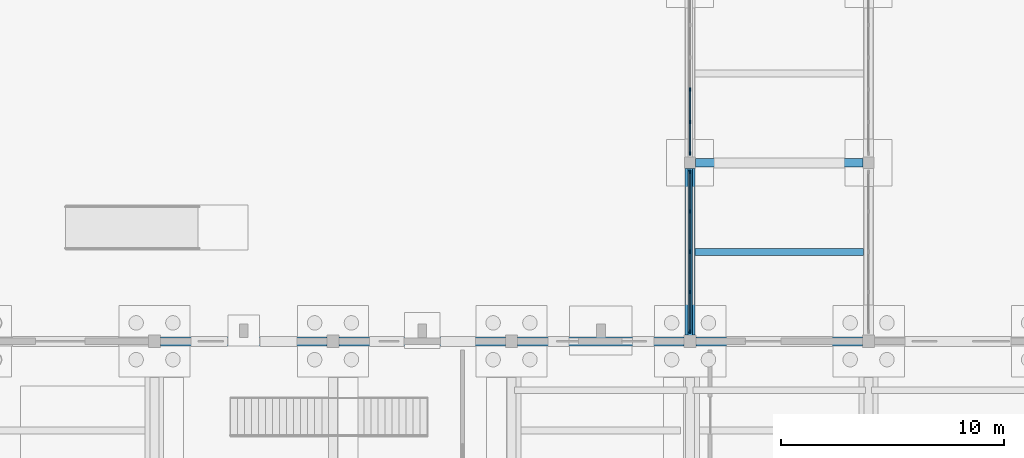
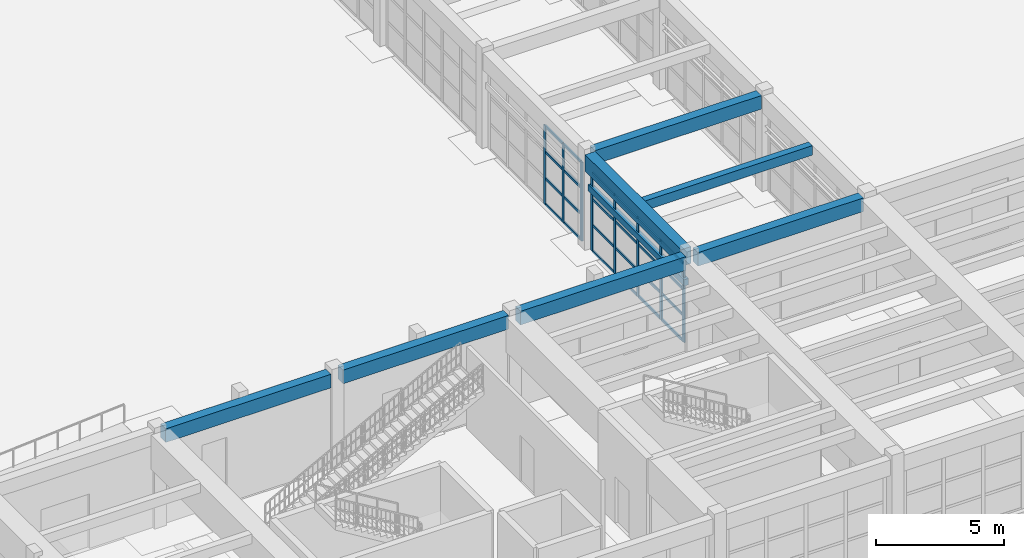
# One storey, part 21 of 68: 32 members, 8 beams, 2 elements without a shape of their own.
"""IFC4 building model written with IfcOpenShell, lengths in metres."""

from ifc_helpers import new_model, si_unit, direction, frame, origin, origin_2d, place, context, subcontext, project, spatial, rectangle, extrude, material, material_profile, profile_set, type_object, element, aggregate, save


model = new_model("IFC4")

# Units and contexts
model_context = context("Model", 3, precision=1e-05, world=origin(), true_north=direction((0.0, 1.0)))
body_context = subcontext(model_context, "Body", "Model", "MODEL_VIEW")
ifc_project = project(units=[si_unit("LENGTHUNIT", "METRE"), si_unit("AREAUNIT", "SQUARE_METRE"), si_unit("VOLUMEUNIT", "CUBIC_METRE"), si_unit("PLANEANGLEUNIT", "RADIAN"), si_unit("MASSUNIT", "GRAM", prefix="KILO")], contexts=[model_context])

# Site, building, storey
site_placement = place(None, origin())
site = spatial("IfcSite", under=ifc_project, at=site_placement, CompositionType="ELEMENT")
building_placement = place(site_placement, origin())
building = spatial("IfcBuilding", under=site, at=building_placement, Name="Serraluz Foothill Cableway Terminal", CompositionType="ELEMENT")
storey_placement = place(building_placement, origin())
storey = spatial("IfcBuildingStorey", under=building, at=storey_placement, Name="L00", CompositionType="ELEMENT", Elevation=0.0)

# Beams
ifc_material_1 = material(Name="Concrete C28/35 (f'c 28 MPa)", Category="concrete")
ifc_material_profile_1 = material_profile(ifc_material_1, rectangle(XDim=0.39990234375, YDim=0.64990234375, at=origin_2d()), Name="RC 400x650")
ifc_profile_set_1 = profile_set([ifc_material_profile_1], Name="Concrete C28/35 (f'c 28 MPa)")
beam_type_1 = type_object("IfcBeamType", Name="TYP-BM-RC400X650", PredefinedType="BEAM", material=ifc_profile_set_1)
for number, where, z_axis, x_axis, name in (
    (1, (96.27099609375, 16.0, 4.215087890625), (1.0, 0.0, 0.0), (0.0, 1.0, 0.0), "Primary Girder BM-X-L00-0043"),
    (2, (104.27099609375, 16.0, 4.215087890625), (1.0, 0.0, 0.0), (0.0, 1.0, 0.0), "Primary Girder BM-X-L00-0044"),
    (3, (112.27099609375, 16.0, 4.215087890625), (1.0, 0.0, 0.0), (0.0, 1.0, 0.0), "Primary Girder BM-X-L00-0045"),
    (4, (120.27099609375, 16.0, 4.215087890625), (1.0, 0.0, 0.0), (0.0, 1.0, 0.0), "Primary Girder BM-X-L00-0046"),
):
    element("IfcBeam", number, at=place(storey_placement, frame(where, z_axis=z_axis, x_axis=x_axis)), inside=storey, type_object=beam_type_1, Name=name, PredefinedType="BEAM", context=body_context, shape_type="SweptSolid", body=[
        extrude(rectangle(XDim=0.39990234375, YDim=0.64990234375, at=origin_2d()), origin(), (0.0, 0.0, 1.0), 7.4580078125),
    ])
beam_1_placement = place(storey_placement, frame((120.24609375, 24.0, 4.235107421875), z_axis=(1.0, 0.0, 0.0), x_axis=(0.0, 1.0, 0.0)))
element("IfcBeam", 5, at=beam_1_placement, inside=storey, type_object=beam_type_1, Name="Primary Girder BM-X-L00-0049", PredefinedType="BEAM", context=body_context, shape_type="SweptSolid", body=[
    extrude(rectangle(XDim=0.39990234375, YDim=0.64990234375, at=origin_2d()), origin(), (0.0, 0.0, 1.0), 7.5078125),
])
ifc_material_2 = material(Name="Concrete C35/45 (f'c 35 MPa)", Category="concrete")
ifc_material_profile_2 = material_profile(ifc_material_2, rectangle(XDim=0.449951171875, YDim=0.800048828125, at=origin_2d()), Name="RC 450x800")
ifc_profile_set_2 = profile_set([ifc_material_profile_2], Name="Concrete C35/45 (f'c 35 MPa)")
beam_type_2 = type_object("IfcBeamType", Name="TYP-BM-RC450X800", PredefinedType="BEAM", material=ifc_profile_set_2)
beam_2_placement = place(storey_placement, frame((120.0, 16.27099609375, 4.159912109375), z_axis=(0.0, 1.0, 0.0), x_axis=(-1.0, 0.0, 0.0)))
element("IfcBeam", 6, at=beam_2_placement, inside=storey, type_object=beam_type_2, Name="Transverse Girder BM-Y-L00-0157", PredefinedType="BEAM", context=body_context, shape_type="SweptSolid", body=[
    extrude(rectangle(XDim=0.449951171875, YDim=0.800048828125, at=origin_2d()), origin(), (0.0, 0.0, 1.0), 7.48291015625),
])

# Curtain wall, members
ifc_material_3 = material(Name="Architectural bronze alloy C28000", Category="aluminium")
curtain_wall_type = type_object("IfcCurtainWallType", Name="TYP-CW-710X420", PredefinedType="NOTDEFINED", material=ifc_material_3)
curtain_wall_1_placement = place(storey_placement, origin())
curtain_wall_1 = element("IfcCurtainWall", 7, at=curtain_wall_1_placement, inside=storey, type_object=curtain_wall_type, Name="Ribbed Glazed Curtain Wall CW-CLW-L00-16", PredefinedType="NOTDEFINED")
ifc_material_profile_3 = material_profile(ifc_material_3, rectangle(XDim=0.06005859375, YDim=0.159912109375, at=origin_2d()), Name="ALU MULLION 60x160")
ifc_profile_set_3 = profile_set([ifc_material_profile_3], Name="Architectural bronze alloy C28000")
member_type_1 = type_object("IfcMemberType", Name="TYP-CW-MUL-60X160", PredefinedType="MULLION", material=ifc_profile_set_3)
member_1_placement = place(storey_placement, frame((120.0, 16.445068359375, 0.0), z_axis=(0.0, 0.0, 1.0), x_axis=(-1.0, 0.0, 0.0)))
member_1 = element("IfcMember", 8, at=member_1_placement, type_object=member_type_1, Name="CW-01 mullion 1", PredefinedType="MULLION", context=body_context, shape_type="SweptSolid", body=[
    extrude(rectangle(XDim=0.06005859375, YDim=0.159912109375, at=origin_2d()), origin(), (0.0, 0.0, 1.0), 3.760009765625),
])
member_2_placement = place(storey_placement, frame((120.0, 18.2138671875, 0.0), z_axis=(0.0, 0.0, 1.0), x_axis=(-1.0, 0.0, 0.0)))
member_2 = element("IfcMember", 9, at=member_2_placement, type_object=member_type_1, Name="CW-01 mullion 2", PredefinedType="MULLION", context=body_context, shape_type="SweptSolid", body=[
    extrude(rectangle(XDim=0.06005859375, YDim=0.159912109375, at=origin_2d()), origin(), (0.0, 0.0, 1.0), 3.760009765625),
])
member_3_placement = place(storey_placement, frame((120.0, 20.012451171875, 0.0), z_axis=(0.0, 0.0, 1.0), x_axis=(-1.0, 0.0, 0.0)))
member_3 = element("IfcMember", 10, at=member_3_placement, type_object=member_type_1, Name="CW-01 mullion 3", PredefinedType="MULLION", context=body_context, shape_type="SweptSolid", body=[
    extrude(rectangle(XDim=0.06005859375, YDim=0.159912109375, at=origin_2d()), origin(), (0.0, 0.0, 1.0), 3.760009765625),
])
member_4_placement = place(storey_placement, frame((120.0, 21.811279296875, 0.0), z_axis=(0.0, 0.0, 1.0), x_axis=(-1.0, 0.0, 0.0)))
member_4 = element("IfcMember", 11, at=member_4_placement, type_object=member_type_1, Name="CW-01 mullion 4", PredefinedType="MULLION", context=body_context, shape_type="SweptSolid", body=[
    extrude(rectangle(XDim=0.06005859375, YDim=0.159912109375, at=origin_2d()), origin(), (0.0, 0.0, 1.0), 3.760009765625),
])
member_5_placement = place(storey_placement, frame((120.0, 23.580078125, 0.0), z_axis=(0.0, 0.0, 1.0), x_axis=(-1.0, 0.0, 0.0)))
member_5 = element("IfcMember", 12, at=member_5_placement, type_object=member_type_1, Name="CW-01 mullion 5", PredefinedType="MULLION", context=body_context, shape_type="SweptSolid", body=[
    extrude(rectangle(XDim=0.06005859375, YDim=0.159912109375, at=origin_2d()), origin(), (0.0, 0.0, 1.0), 3.760009765625),
])

curtain_wall_2_placement = place(storey_placement, origin())
curtain_wall_2 = element("IfcCurtainWall", 13, at=curtain_wall_2_placement, inside=storey, type_object=curtain_wall_type, Name="Ribbed Glazed Curtain Wall CW-CLW-L00-24", PredefinedType="NOTDEFINED")
member_6_placement = place(storey_placement, frame((120.0, 24.419921875, 0.0), z_axis=(0.0, 0.0, 1.0), x_axis=(-1.0, 0.0, 0.0)))
member_6 = element("IfcMember", 14, at=member_6_placement, type_object=member_type_1, Name="CW-01 mullion 1", PredefinedType="MULLION", context=body_context, shape_type="SweptSolid", body=[
    extrude(rectangle(XDim=0.06005859375, YDim=0.159912109375, at=origin_2d()), origin(), (0.0, 0.0, 1.0), 3.760009765625),
])
member_7_placement = place(storey_placement, frame((120.0, 25.833984375, 0.0), z_axis=(0.0, 0.0, 1.0), x_axis=(-1.0, 0.0, 0.0)))
member_7 = element("IfcMember", 15, at=member_7_placement, type_object=member_type_1, Name="CW-01 mullion 2", PredefinedType="MULLION", context=body_context, shape_type="SweptSolid", body=[
    extrude(rectangle(XDim=0.06005859375, YDim=0.159912109375, at=origin_2d()), origin(), (0.0, 0.0, 1.0), 3.760009765625),
])
member_8_placement = place(storey_placement, frame((120.0, 27.278076171875, 0.0), z_axis=(0.0, 0.0, 1.0), x_axis=(-1.0, 0.0, 0.0)))
member_8 = element("IfcMember", 16, at=member_8_placement, type_object=member_type_1, Name="CW-01 mullion 3", PredefinedType="MULLION", context=body_context, shape_type="SweptSolid", body=[
    extrude(rectangle(XDim=0.06005859375, YDim=0.159912109375, at=origin_2d()), origin(), (0.0, 0.0, 1.0), 3.760009765625),
])

# Member
ifc_material_profile_4 = material_profile(ifc_material_3, rectangle(XDim=0.06005859375, YDim=0.1201171875, at=origin_2d()), Name="ALU TRANSOM 60x120")
ifc_profile_set_4 = profile_set([ifc_material_profile_4], Name="Architectural bronze alloy C28000")
member_type_2 = type_object("IfcMemberType", Name="TYP-CW-TRN-60X120", PredefinedType="USERDEFINED", material=ifc_profile_set_4)
member_9_placement = place(storey_placement, frame((120.0, 16.47509765625, 0.030029296875), z_axis=(0.0, 1.0, 0.0), x_axis=(-1.0, 0.0, 0.0)))
member_9 = element("IfcMember", 17, at=member_9_placement, type_object=member_type_2, Name="CW-01 transom 1.1", ObjectType="TRANSOM", PredefinedType="USERDEFINED", context=body_context, shape_type="SweptSolid", body=[
    extrude(rectangle(XDim=0.06005859375, YDim=0.1201171875, at=origin_2d()), origin(), (0.0, 0.0, 1.0), 1.708740234375),
])

member_10_placement = place(storey_placement, frame((120.0, 16.47509765625, 1.25341796875), z_axis=(0.0, 1.0, 0.0), x_axis=(-1.0, 0.0, 0.0)))
member_10 = element("IfcMember", 18, at=member_10_placement, type_object=member_type_2, Name="CW-01 transom 1.2", ObjectType="TRANSOM", PredefinedType="USERDEFINED", context=body_context, shape_type="SweptSolid", body=[
    extrude(rectangle(XDim=0.06005859375, YDim=0.1201171875, at=origin_2d()), origin(), (0.0, 0.0, 1.0), 1.708740234375),
])

member_11_placement = place(storey_placement, frame((120.0, 16.47509765625, 2.506591796875), z_axis=(0.0, 1.0, 0.0), x_axis=(-1.0, 0.0, 0.0)))
member_11 = element("IfcMember", 19, at=member_11_placement, type_object=member_type_2, Name="CW-01 transom 1.3", ObjectType="TRANSOM", PredefinedType="USERDEFINED", context=body_context, shape_type="SweptSolid", body=[
    extrude(rectangle(XDim=0.06005859375, YDim=0.1201171875, at=origin_2d()), origin(), (0.0, 0.0, 1.0), 1.708740234375),
])

member_12_placement = place(storey_placement, frame((120.0, 16.47509765625, 3.72998046875), z_axis=(0.0, 1.0, 0.0), x_axis=(-1.0, 0.0, 0.0)))
member_12 = element("IfcMember", 20, at=member_12_placement, type_object=member_type_2, Name="CW-01 transom 1.4", ObjectType="TRANSOM", PredefinedType="USERDEFINED", context=body_context, shape_type="SweptSolid", body=[
    extrude(rectangle(XDim=0.06005859375, YDim=0.1201171875, at=origin_2d()), origin(), (0.0, 0.0, 1.0), 1.708740234375),
])

member_13_placement = place(storey_placement, frame((120.0, 18.24365234375, 0.030029296875), z_axis=(0.0, 1.0, 0.0), x_axis=(-1.0, 0.0, 0.0)))
member_13 = element("IfcMember", 21, at=member_13_placement, type_object=member_type_2, Name="CW-01 transom 2.1", ObjectType="TRANSOM", PredefinedType="USERDEFINED", context=body_context, shape_type="SweptSolid", body=[
    extrude(rectangle(XDim=0.06005859375, YDim=0.1201171875, at=origin_2d()), origin(), (0.0, 0.0, 1.0), 1.73876953125),
])

member_14_placement = place(storey_placement, frame((120.0, 18.24365234375, 1.25341796875), z_axis=(0.0, 1.0, 0.0), x_axis=(-1.0, 0.0, 0.0)))
member_14 = element("IfcMember", 22, at=member_14_placement, type_object=member_type_2, Name="CW-01 transom 2.2", ObjectType="TRANSOM", PredefinedType="USERDEFINED", context=body_context, shape_type="SweptSolid", body=[
    extrude(rectangle(XDim=0.06005859375, YDim=0.1201171875, at=origin_2d()), origin(), (0.0, 0.0, 1.0), 1.73876953125),
])

member_15_placement = place(storey_placement, frame((120.0, 18.24365234375, 2.506591796875), z_axis=(0.0, 1.0, 0.0), x_axis=(-1.0, 0.0, 0.0)))
member_15 = element("IfcMember", 23, at=member_15_placement, type_object=member_type_2, Name="CW-01 transom 2.3", ObjectType="TRANSOM", PredefinedType="USERDEFINED", context=body_context, shape_type="SweptSolid", body=[
    extrude(rectangle(XDim=0.06005859375, YDim=0.1201171875, at=origin_2d()), origin(), (0.0, 0.0, 1.0), 1.73876953125),
])

member_16_placement = place(storey_placement, frame((120.0, 18.24365234375, 3.72998046875), z_axis=(0.0, 1.0, 0.0), x_axis=(-1.0, 0.0, 0.0)))
member_16 = element("IfcMember", 24, at=member_16_placement, type_object=member_type_2, Name="CW-01 transom 2.4", ObjectType="TRANSOM", PredefinedType="USERDEFINED", context=body_context, shape_type="SweptSolid", body=[
    extrude(rectangle(XDim=0.06005859375, YDim=0.1201171875, at=origin_2d()), origin(), (0.0, 0.0, 1.0), 1.73876953125),
])

member_17_placement = place(storey_placement, frame((120.0, 20.04248046875, 0.030029296875), z_axis=(0.0, 1.0, 0.0), x_axis=(-1.0, 0.0, 0.0)))
member_17 = element("IfcMember", 25, at=member_17_placement, type_object=member_type_2, Name="CW-01 transom 3.1", ObjectType="TRANSOM", PredefinedType="USERDEFINED", context=body_context, shape_type="SweptSolid", body=[
    extrude(rectangle(XDim=0.06005859375, YDim=0.1201171875, at=origin_2d()), origin(), (0.0, 0.0, 1.0), 1.73876953125),
])

member_18_placement = place(storey_placement, frame((120.0, 20.04248046875, 1.25341796875), z_axis=(0.0, 1.0, 0.0), x_axis=(-1.0, 0.0, 0.0)))
member_18 = element("IfcMember", 26, at=member_18_placement, type_object=member_type_2, Name="CW-01 transom 3.2", ObjectType="TRANSOM", PredefinedType="USERDEFINED", context=body_context, shape_type="SweptSolid", body=[
    extrude(rectangle(XDim=0.06005859375, YDim=0.1201171875, at=origin_2d()), origin(), (0.0, 0.0, 1.0), 1.73876953125),
])

member_19_placement = place(storey_placement, frame((120.0, 20.04248046875, 2.506591796875), z_axis=(0.0, 1.0, 0.0), x_axis=(-1.0, 0.0, 0.0)))
member_19 = element("IfcMember", 27, at=member_19_placement, type_object=member_type_2, Name="CW-01 transom 3.3", ObjectType="TRANSOM", PredefinedType="USERDEFINED", context=body_context, shape_type="SweptSolid", body=[
    extrude(rectangle(XDim=0.06005859375, YDim=0.1201171875, at=origin_2d()), origin(), (0.0, 0.0, 1.0), 1.73876953125),
])

member_20_placement = place(storey_placement, frame((120.0, 20.04248046875, 3.72998046875), z_axis=(0.0, 1.0, 0.0), x_axis=(-1.0, 0.0, 0.0)))
member_20 = element("IfcMember", 28, at=member_20_placement, type_object=member_type_2, Name="CW-01 transom 3.4", ObjectType="TRANSOM", PredefinedType="USERDEFINED", context=body_context, shape_type="SweptSolid", body=[
    extrude(rectangle(XDim=0.06005859375, YDim=0.1201171875, at=origin_2d()), origin(), (0.0, 0.0, 1.0), 1.73876953125),
])

member_21_placement = place(storey_placement, frame((120.0, 21.84130859375, 0.030029296875), z_axis=(0.0, 1.0, 0.0), x_axis=(-1.0, 0.0, 0.0)))
member_21 = element("IfcMember", 29, at=member_21_placement, type_object=member_type_2, Name="CW-01 transom 4.1", ObjectType="TRANSOM", PredefinedType="USERDEFINED", context=body_context, shape_type="SweptSolid", body=[
    extrude(rectangle(XDim=0.06005859375, YDim=0.1201171875, at=origin_2d()), origin(), (0.0, 0.0, 1.0), 1.708740234375),
])

member_22_placement = place(storey_placement, frame((120.0, 21.84130859375, 1.25341796875), z_axis=(0.0, 1.0, 0.0), x_axis=(-1.0, 0.0, 0.0)))
member_22 = element("IfcMember", 30, at=member_22_placement, type_object=member_type_2, Name="CW-01 transom 4.2", ObjectType="TRANSOM", PredefinedType="USERDEFINED", context=body_context, shape_type="SweptSolid", body=[
    extrude(rectangle(XDim=0.06005859375, YDim=0.1201171875, at=origin_2d()), origin(), (0.0, 0.0, 1.0), 1.708740234375),
])

member_23_placement = place(storey_placement, frame((120.0, 21.84130859375, 2.506591796875), z_axis=(0.0, 1.0, 0.0), x_axis=(-1.0, 0.0, 0.0)))
member_23 = element("IfcMember", 31, at=member_23_placement, type_object=member_type_2, Name="CW-01 transom 4.3", ObjectType="TRANSOM", PredefinedType="USERDEFINED", context=body_context, shape_type="SweptSolid", body=[
    extrude(rectangle(XDim=0.06005859375, YDim=0.1201171875, at=origin_2d()), origin(), (0.0, 0.0, 1.0), 1.708740234375),
])

member_24_placement = place(storey_placement, frame((120.0, 21.84130859375, 3.72998046875), z_axis=(0.0, 1.0, 0.0), x_axis=(-1.0, 0.0, 0.0)))
member_24 = element("IfcMember", 32, at=member_24_placement, type_object=member_type_2, Name="CW-01 transom 4.4", ObjectType="TRANSOM", PredefinedType="USERDEFINED", context=body_context, shape_type="SweptSolid", body=[
    extrude(rectangle(XDim=0.06005859375, YDim=0.1201171875, at=origin_2d()), origin(), (0.0, 0.0, 1.0), 1.708740234375),
])

aggregate(curtain_wall_1, [member_1, member_2, member_3, member_4, member_5, member_9, member_10, member_11, member_12, member_13, member_14, member_15, member_16, member_17, member_18, member_19, member_20, member_21, member_22, member_23, member_24])

member_25_placement = place(storey_placement, frame((120.0, 24.449951171875, 0.030029296875), z_axis=(0.0, 1.0, 0.0), x_axis=(-1.0, 0.0, 0.0)))
member_25 = element("IfcMember", 33, at=member_25_placement, type_object=member_type_2, Name="CW-01 transom 1.1", ObjectType="TRANSOM", PredefinedType="USERDEFINED", context=body_context, shape_type="SweptSolid", body=[
    extrude(rectangle(XDim=0.06005859375, YDim=0.1201171875, at=origin_2d()), origin(), (0.0, 0.0, 1.0), 1.35400390625),
])

member_26_placement = place(storey_placement, frame((120.0, 24.449951171875, 1.25341796875), z_axis=(0.0, 1.0, 0.0), x_axis=(-1.0, 0.0, 0.0)))
member_26 = element("IfcMember", 34, at=member_26_placement, type_object=member_type_2, Name="CW-01 transom 1.2", ObjectType="TRANSOM", PredefinedType="USERDEFINED", context=body_context, shape_type="SweptSolid", body=[
    extrude(rectangle(XDim=0.06005859375, YDim=0.1201171875, at=origin_2d()), origin(), (0.0, 0.0, 1.0), 1.35400390625),
])

member_27_placement = place(storey_placement, frame((120.0, 24.449951171875, 2.506591796875), z_axis=(0.0, 1.0, 0.0), x_axis=(-1.0, 0.0, 0.0)))
member_27 = element("IfcMember", 35, at=member_27_placement, type_object=member_type_2, Name="CW-01 transom 1.3", ObjectType="TRANSOM", PredefinedType="USERDEFINED", context=body_context, shape_type="SweptSolid", body=[
    extrude(rectangle(XDim=0.06005859375, YDim=0.1201171875, at=origin_2d()), origin(), (0.0, 0.0, 1.0), 1.35400390625),
])

member_28_placement = place(storey_placement, frame((120.0, 24.449951171875, 3.72998046875), z_axis=(0.0, 1.0, 0.0), x_axis=(-1.0, 0.0, 0.0)))
member_28 = element("IfcMember", 36, at=member_28_placement, type_object=member_type_2, Name="CW-01 transom 1.4", ObjectType="TRANSOM", PredefinedType="USERDEFINED", context=body_context, shape_type="SweptSolid", body=[
    extrude(rectangle(XDim=0.06005859375, YDim=0.1201171875, at=origin_2d()), origin(), (0.0, 0.0, 1.0), 1.35400390625),
])

member_29_placement = place(storey_placement, frame((120.0, 25.864013671875, 0.030029296875), z_axis=(0.0, 1.0, 0.0), x_axis=(-1.0, 0.0, 0.0)))
member_29 = element("IfcMember", 37, at=member_29_placement, type_object=member_type_2, Name="CW-01 transom 2.1", ObjectType="TRANSOM", PredefinedType="USERDEFINED", context=body_context, shape_type="SweptSolid", body=[
    extrude(rectangle(XDim=0.06005859375, YDim=0.1201171875, at=origin_2d()), origin(), (0.0, 0.0, 1.0), 1.384033203125),
])

member_30_placement = place(storey_placement, frame((120.0, 25.864013671875, 1.25341796875), z_axis=(0.0, 1.0, 0.0), x_axis=(-1.0, 0.0, 0.0)))
member_30 = element("IfcMember", 38, at=member_30_placement, type_object=member_type_2, Name="CW-01 transom 2.2", ObjectType="TRANSOM", PredefinedType="USERDEFINED", context=body_context, shape_type="SweptSolid", body=[
    extrude(rectangle(XDim=0.06005859375, YDim=0.1201171875, at=origin_2d()), origin(), (0.0, 0.0, 1.0), 1.384033203125),
])

member_31_placement = place(storey_placement, frame((120.0, 25.864013671875, 2.506591796875), z_axis=(0.0, 1.0, 0.0), x_axis=(-1.0, 0.0, 0.0)))
member_31 = element("IfcMember", 39, at=member_31_placement, type_object=member_type_2, Name="CW-01 transom 2.3", ObjectType="TRANSOM", PredefinedType="USERDEFINED", context=body_context, shape_type="SweptSolid", body=[
    extrude(rectangle(XDim=0.06005859375, YDim=0.1201171875, at=origin_2d()), origin(), (0.0, 0.0, 1.0), 1.384033203125),
])

member_32_placement = place(storey_placement, frame((120.0, 25.864013671875, 3.72998046875), z_axis=(0.0, 1.0, 0.0), x_axis=(-1.0, 0.0, 0.0)))
member_32 = element("IfcMember", 40, at=member_32_placement, type_object=member_type_2, Name="CW-01 transom 2.4", ObjectType="TRANSOM", PredefinedType="USERDEFINED", context=body_context, shape_type="SweptSolid", body=[
    extrude(rectangle(XDim=0.06005859375, YDim=0.1201171875, at=origin_2d()), origin(), (0.0, 0.0, 1.0), 1.384033203125),
])

aggregate(curtain_wall_2, [member_6, member_7, member_8, member_25, member_26, member_27, member_28, member_29, member_30, member_31, member_32])

# Beams
ifc_material_profile_5 = material_profile(ifc_material_1, rectangle(XDim=0.300048828125, YDim=0.449951171875, at=origin_2d()), Name="RC 300x450")
ifc_profile_set_5 = profile_set([ifc_material_profile_5], Name="Concrete C28/35 (f'c 28 MPa)")
beam_type_3 = type_object("IfcBeamType", Name="TYP-JS-RC300X450", PredefinedType="JOIST", material=ifc_profile_set_5)
beam_3_placement = place(storey_placement, frame((120.22998046875, 20.0, 4.3349609375), z_axis=(1.0, 0.0, 0.0), x_axis=(0.0, 1.0, 0.0)))
element("IfcBeam", 41, at=beam_3_placement, inside=storey, type_object=beam_type_3, Name="Secondary Floor Joist JS-L00-0049", PredefinedType="JOIST", context=body_context, shape_type="SweptSolid", body=[
    extrude(rectangle(XDim=0.300048828125, YDim=0.449951171875, at=origin_2d()), origin(), (0.0, 0.0, 1.0), 7.5400390625),
])
ifc_material_4 = material(Name="Precast concrete C40/50", Category="concrete")
ifc_material_profile_6 = material_profile(ifc_material_4, rectangle(XDim=0.199951171875, YDim=0.300048828125, at=origin_2d()), Name="RC LN 200x300")
ifc_profile_set_6 = profile_set([ifc_material_profile_6], Name="Precast concrete C40/50")
beam_type_4 = type_object("IfcBeamType", Name="TYP-LN-200X300", PredefinedType="LINTEL", material=ifc_profile_set_6)
beam_4_placement = place(storey_placement, frame((120.0, 16.25, 2.949951171875), z_axis=(0.0, 1.0, 0.0), x_axis=(-1.0, 0.0, 0.0)))
element("IfcBeam", 42, at=beam_4_placement, inside=storey, type_object=beam_type_4, Name="Arcade Portal Lintel LN-PORTAL-05", PredefinedType="LINTEL", context=body_context, shape_type="SweptSolid", body=[
    extrude(rectangle(XDim=0.199951171875, YDim=0.300048828125, at=origin_2d()), origin(), (0.0, 0.0, 1.0), 7.5),
])

save(model, "model.ifc")
